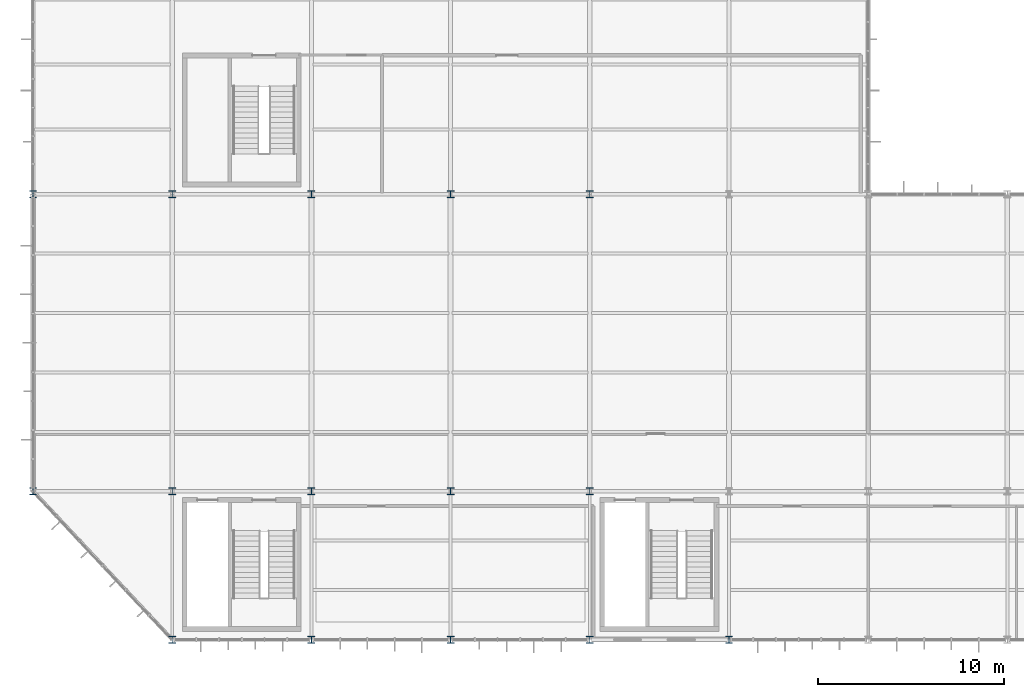
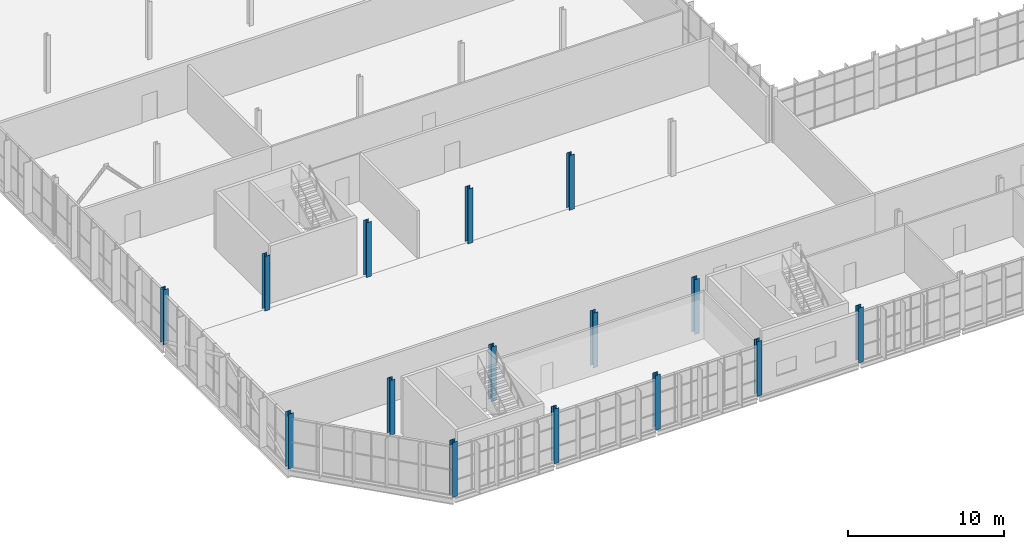
# One storey, part 1 of 324: 15 columns.
"""IFC4 building model written with IfcOpenShell, lengths in metres."""

from ifc_helpers import new_model, si_unit, direction, frame, origin, origin_2d, place, context, subcontext, project, spatial, i_section, extrude, material, material_profile, profile_set, type_object, element, save


model = new_model("IFC4")

# Units and contexts
model_context = context("Model", 3, precision=1e-05, world=origin(), true_north=direction((0.0, 1.0)))
body_context = subcontext(model_context, "Body", "Model", "MODEL_VIEW")
ifc_project = project(units=[si_unit("LENGTHUNIT", "METRE"), si_unit("AREAUNIT", "SQUARE_METRE"), si_unit("VOLUMEUNIT", "CUBIC_METRE"), si_unit("PLANEANGLEUNIT", "RADIAN"), si_unit("MASSUNIT", "GRAM", prefix="KILO")], contexts=[model_context])

# Site, building, storey
site_placement = place(None, origin())
site = spatial("IfcSite", under=ifc_project, at=site_placement, CompositionType="ELEMENT")
building_placement = place(site_placement, origin())
building = spatial("IfcBuilding", under=site, at=building_placement, Name="Solvenia Promenade Tram Depot", CompositionType="ELEMENT")
storey_placement = place(building_placement, frame((0.0, 0.0, 4.5)))
storey = spatial("IfcBuildingStorey", under=building, at=storey_placement, Name="L01", CompositionType="ELEMENT", Elevation=4.5)

# Columns
ifc_material = material(Name="Structural steel ASTM A992 Gr. 50", Category="steel")
ifc_material_profile = material_profile(ifc_material, i_section(OverallWidth=0.3701171875, OverallDepth=0.360107421875, WebThickness=0.01220703125, FlangeThickness=0.019775390625, FilletRadius=0.014892578125, at=origin_2d()), Name="W360x147", Category="steel")
ifc_profile_set = profile_set([ifc_material_profile], Name="Structural steel ASTM A992 Gr. 50")
column_type = type_object("IfcColumnType", Name="Col-W360x147", PredefinedType="COLUMN", material=ifc_profile_set)
for number, where, z_axis, x_axis, name in (
    (1, (0.0, 8.0, 0.0), (0.0, 0.0, 1.0), (1.0, 0.0, 0.0), "Steel Column COL-L01-002"),
    (2, (0.0, 24.0, 0.0), (0.0, 0.0, 1.0), (1.0, 0.0, 0.0), "Steel Column COL-L01-005"),
    (3, (7.5, 0.0, 0.0), (0.0, 0.0, 1.0), (1.0, 0.0, 0.0), "Steel Column COL-L01-017"),
    (4, (7.5, 8.0, 0.0), (0.0, 0.0, 1.0), (1.0, 0.0, 0.0), "Steel Column COL-L01-020"),
    (5, (7.5, 24.0, 0.0), (0.0, 0.0, 1.0), (1.0, 0.0, 0.0), "Steel Column COL-L01-023"),
    (6, (15.0, 0.0, 0.0), (0.0, 0.0, 1.0), (1.0, 0.0, 0.0), "Steel Column COL-L01-035"),
    (7, (15.0, 8.0, 0.0), (0.0, 0.0, 1.0), (1.0, 0.0, 0.0), "Steel Column COL-L01-038"),
    (8, (15.0, 24.0, 0.0), (0.0, 0.0, 1.0), (1.0, 0.0, 0.0), "Steel Column COL-L01-041"),
    (9, (22.5, 0.0, 0.0), (0.0, 0.0, 1.0), (1.0, 0.0, 0.0), "Steel Column COL-L01-053"),
    (10, (22.5, 8.0, 0.0), (0.0, 0.0, 1.0), (1.0, 0.0, 0.0), "Steel Column COL-L01-056"),
    (11, (22.5, 24.0, 0.0), (0.0, 0.0, 1.0), (1.0, 0.0, 0.0), "Steel Column COL-L01-059"),
    (12, (30.0, 0.0, 0.0), (0.0, 0.0, 1.0), (1.0, 0.0, 0.0), "Steel Column COL-L01-071"),
    (13, (30.0, 8.0, 0.0), (0.0, 0.0, 1.0), (1.0, 0.0, 0.0), "Steel Column COL-L01-074"),
    (14, (30.0, 24.0, 0.0), (0.0, 0.0, 1.0), (1.0, 0.0, 0.0), "Steel Column COL-L01-077"),
    (15, (37.5, 0.0, 0.0), (0.0, 0.0, 1.0), (1.0, 0.0, 0.0), "Steel Column COL-L01-089"),
):
    element("IfcColumn", number, at=place(storey_placement, frame(where, z_axis=z_axis, x_axis=x_axis)), inside=storey, type_object=column_type, Name=name, PredefinedType="COLUMN", context=body_context, shape_type="SweptSolid", body=[
        extrude(i_section(OverallWidth=0.3701171875, OverallDepth=0.360107421875, WebThickness=0.01220703125, FlangeThickness=0.019775390625, FilletRadius=0.014892578125, at=origin_2d()), origin(), (0.0, 0.0, 1.0), 4.280029296875),
    ])

save(model, "model.ifc")
